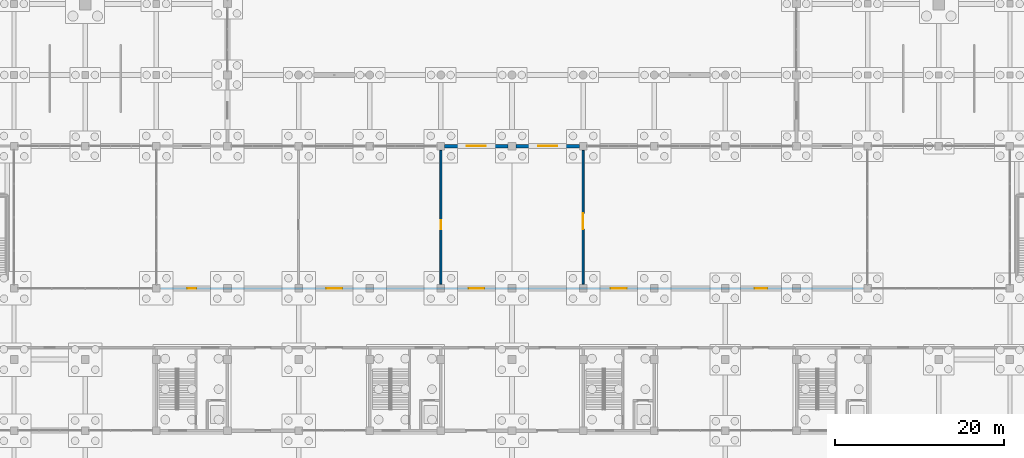
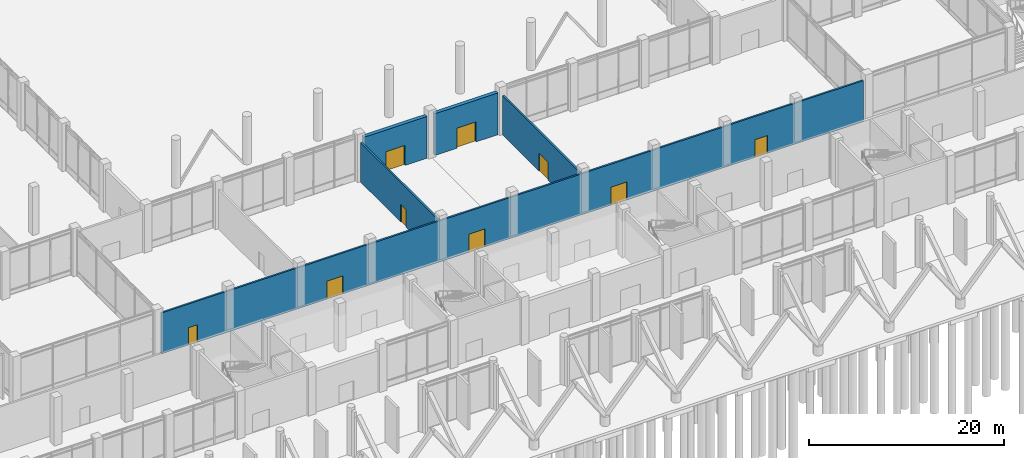
# One storey, part 54 of 72: 9 doors, 5 walls, 9 openings.
"""IFC4 building model written with IfcOpenShell, lengths in metres."""

from ifc_helpers import new_model, si_unit, direction, frame, frame_2d, origin, place, context, subcontext, project, spatial, rectangle, extrude, material, layer, layer_set, type_object, element, fill, save


model = new_model("IFC4")

# Units and contexts
model_context = context("Model", 3, precision=1e-05, world=origin(), true_north=direction((0.0, 1.0)))
body_context = subcontext(model_context, "Body", "Model", "MODEL_VIEW")
ifc_project = project(units=[si_unit("LENGTHUNIT", "METRE"), si_unit("AREAUNIT", "SQUARE_METRE"), si_unit("VOLUMEUNIT", "CUBIC_METRE"), si_unit("PLANEANGLEUNIT", "RADIAN"), si_unit("MASSUNIT", "GRAM", prefix="KILO")], contexts=[model_context])

# Site, building, storey
site_placement = place(None, origin())
site = spatial("IfcSite", under=ifc_project, at=site_placement, CompositionType="ELEMENT")
building_placement = place(site_placement, origin())
building = spatial("IfcBuilding", under=site, at=building_placement, Name="Qawsi Khor Wholesale Market", CompositionType="ELEMENT")
storey_placement = place(building_placement, origin())
storey = spatial("IfcBuildingStorey", under=building, at=storey_placement, Name="L00", CompositionType="ELEMENT", Elevation=0.0)

# Wall, openings, doors
ifc_material_1 = material(Name="Gypsum Fireboard on Steel Stud", Category="steel")
ifc_layer_1 = layer(ifc_material_1, 0.2099609375, Name="Gypsum Fireboard on Steel Stud")
ifc_layer_set_1 = layer_set([ifc_layer_1], Name="Gypsum Fireboard on Steel Stud")
wall_type_1 = type_object("IfcWallType", Name="Corridor Fire Partition Wall 210", PredefinedType="PARTITIONING", material=ifc_layer_set_1)
wall_1_placement = place(storey_placement, frame((67.699951171875, 25.199951171875, 0.0), z_axis=(0.0, 0.0, 1.0), x_axis=(1.0, 0.0, 0.0)))
wall_1 = element("IfcWall", 1, at=wall_1_placement, inside=storey, type_object=wall_type_1, Name="PW-L00-035", PredefinedType="PARTITIONING", context=body_context, shape_type="SweptSolid", body=[
    extrude(rectangle(XDim=83.0, YDim=0.2099609375, at=frame_2d((41.5, 0.0))), origin(), (0.0, 0.0, 1.0), 5.1298828125),
])
opening_1_placement = place(wall_1_placement, frame((3.169921875, 0.0, 0.0)))
opening_1 = element("IfcOpeningElement", 2, at=opening_1_placement, cuts=wall_1, Name="Opening ID-07", PredefinedType="OPENING", context=body_context, shape_type="SweptSolid", body=[
    extrude(rectangle(XDim=1.06005859375, YDim=2.179931640625, at=frame_2d((0.530029296875, 1.08984375))), frame((0.0, 0.114990234375, 0.0), z_axis=(0.0, -1.0, 0.0), x_axis=(1.0, 0.0, 0.0)), (0.0, 0.0, 1.0), 0.22998046875),
])
opening_2_placement = place(wall_1_placement, frame((19.574951171875, 0.0, 0.0)))
opening_2 = element("IfcOpeningElement", 3, at=opening_2_placement, cuts=wall_1, Name="Opening ID-09", PredefinedType="OPENING", context=body_context, shape_type="SweptSolid", body=[
    extrude(rectangle(XDim=1.85009765625, YDim=2.25, at=frame_2d((0.925048828125, 1.125))), frame((0.0, 0.114990234375, 0.0), z_axis=(0.0, -1.0, 0.0), x_axis=(1.0, 0.0, 0.0)), (0.0, 0.0, 1.0), 0.22998046875),
])
opening_3_placement = place(wall_1_placement, frame((36.375, 0.0, 0.0)))
opening_3 = element("IfcOpeningElement", 4, at=opening_3_placement, cuts=wall_1, Name="Opening ID-09", PredefinedType="OPENING", context=body_context, shape_type="SweptSolid", body=[
    extrude(rectangle(XDim=1.85009765625, YDim=2.25, at=frame_2d((0.925048828125, 1.125))), frame((0.0, 0.114990234375, 0.0), z_axis=(0.0, -1.0, 0.0), x_axis=(1.0, 0.0, 0.0)), (0.0, 0.0, 1.0), 0.22998046875),
])
opening_4_placement = place(wall_1_placement, frame((53.175048828125, 0.0, 0.0)))
opening_4 = element("IfcOpeningElement", 5, at=opening_4_placement, cuts=wall_1, Name="Opening ID-09", PredefinedType="OPENING", context=body_context, shape_type="SweptSolid", body=[
    extrude(rectangle(XDim=1.85009765625, YDim=2.25, at=frame_2d((0.925048828125, 1.125))), frame((0.0, 0.114990234375, 0.0), z_axis=(0.0, -1.0, 0.0), x_axis=(1.0, 0.0, 0.0)), (0.0, 0.0, 1.0), 0.22998046875),
])
opening_5_placement = place(wall_1_placement, frame((70.169921875, 0.0, 0.0)))
opening_5 = element("IfcOpeningElement", 6, at=opening_5_placement, cuts=wall_1, Name="Opening ID-10", PredefinedType="OPENING", context=body_context, shape_type="SweptSolid", body=[
    extrude(rectangle(XDim=1.4599609375, YDim=2.219970703125, at=frame_2d((0.72998046875, 1.10986328125))), frame((0.0, 0.114990234375, 0.0), z_axis=(0.0, -1.0, 0.0), x_axis=(1.0, 0.0, 0.0)), (0.0, 0.0, 1.0), 0.22998046875),
])
ifc_material_2 = material(Name="Glazed Hardwood", Category="wood")
door_type_1 = type_object("IfcDoorType", Name="Canteen Dining Double Door 1850x2250 FD60S", OperationType="NOTDEFINED", PredefinedType="DOOR", material=ifc_material_2)
door_1_placement = place(opening_2_placement, origin())
door_1 = element("IfcDoor", 7, at=door_1_placement, inside=storey, type_object=door_type_1, Name="Canteen Dining Double Door 1850x2250 FD60S L00-038", OperationType="DOUBLE_DOOR_SINGLE_SWING", OverallHeight=2.25, OverallWidth=1.85009765625, PredefinedType="DOOR", context=body_context, shape_type="SweptSolid", body=[
    extrude(rectangle(XDim=1.85009765625, YDim=2.25, at=frame_2d((0.925048828125, 1.125))), frame((0.0, 0.02490234375, 0.0), z_axis=(0.0, -1.0, 0.0), x_axis=(1.0, 0.0, 0.0)), (0.0, 0.0, 1.0), 0.050048828125),
])
fill(opening_2, door_1)
door_2_placement = place(opening_3_placement, origin())
door_2 = element("IfcDoor", 8, at=door_2_placement, inside=storey, type_object=door_type_1, Name="Canteen Dining Double Door 1850x2250 FD60S L00-039", OperationType="DOUBLE_DOOR_SINGLE_SWING", OverallHeight=2.25, OverallWidth=1.85009765625, PredefinedType="DOOR", context=body_context, shape_type="SweptSolid", body=[
    extrude(rectangle(XDim=1.85009765625, YDim=2.25, at=frame_2d((0.925048828125, 1.125))), frame((0.0, 0.02490234375, 0.0), z_axis=(0.0, -1.0, 0.0), x_axis=(1.0, 0.0, 0.0)), (0.0, 0.0, 1.0), 0.050048828125),
])
fill(opening_3, door_2)
door_3_placement = place(opening_4_placement, origin())
door_3 = element("IfcDoor", 9, at=door_3_placement, inside=storey, type_object=door_type_1, Name="Canteen Dining Double Door 1850x2250 FD60S L00-040", OperationType="DOUBLE_DOOR_SINGLE_SWING", OverallHeight=2.25, OverallWidth=1.85009765625, PredefinedType="DOOR", context=body_context, shape_type="SweptSolid", body=[
    extrude(rectangle(XDim=1.85009765625, YDim=2.25, at=frame_2d((0.925048828125, 1.125))), frame((0.0, 0.02490234375, 0.0), z_axis=(0.0, -1.0, 0.0), x_axis=(1.0, 0.0, 0.0)), (0.0, 0.0, 1.0), 0.050048828125),
])
fill(opening_4, door_3)
ifc_material_3 = material(Name="Hardwood Timber Veneer", Category="wood")
door_type_2 = type_object("IfcDoorType", Name="Clearinghouse Suite Door 1060x2180", OperationType="NOTDEFINED", PredefinedType="DOOR", material=ifc_material_3)
door_4_placement = place(opening_1_placement, origin())
door_4 = element("IfcDoor", 10, at=door_4_placement, inside=storey, type_object=door_type_2, Name="Clearinghouse Suite Door 1060x2180 L00-037", OperationType="SINGLE_SWING_LEFT", OverallHeight=2.179931640625, OverallWidth=1.06005859375, PredefinedType="DOOR", context=body_context, shape_type="SweptSolid", body=[
    extrude(rectangle(XDim=1.06005859375, YDim=2.179931640625, at=frame_2d((0.530029296875, 1.08984375))), frame((0.0, 0.02490234375, 0.0), z_axis=(0.0, -1.0, 0.0), x_axis=(1.0, 0.0, 0.0)), (0.0, 0.0, 1.0), 0.050048828125),
])
fill(opening_1, door_4)
ifc_material_4 = material(Name="Brushed Stainless Steel", Category="steel")
door_type_3 = type_object("IfcDoorType", Name="Commercial Kitchen Service Door 1460x2220 FD60S", OperationType="NOTDEFINED", PredefinedType="DOOR", material=ifc_material_4)
door_5_placement = place(opening_5_placement, origin())
door_5 = element("IfcDoor", 11, at=door_5_placement, inside=storey, type_object=door_type_3, Name="Commercial Kitchen Service Door 1460x2220 FD60S L00-041", OperationType="SINGLE_SWING_RIGHT", OverallHeight=2.219970703125, OverallWidth=1.4599609375, PredefinedType="DOOR", context=body_context, shape_type="SweptSolid", body=[
    extrude(rectangle(XDim=1.4599609375, YDim=2.219970703125, at=frame_2d((0.72998046875, 1.10986328125))), frame((0.0, 0.02490234375, 0.0), z_axis=(0.0, -1.0, 0.0), x_axis=(1.0, 0.0, 0.0)), (0.0, 0.0, 1.0), 0.050048828125),
])
fill(opening_5, door_5)

# Wall, opening, door
wall_2_placement = place(storey_placement, frame((100.800048828125, 25.699951171875, 0.0), z_axis=(0.0, 0.0, 1.0), x_axis=(0.0, 1.0, 0.0)))
wall_2 = element("IfcWall", 12, at=wall_2_placement, inside=storey, type_object=wall_type_1, Name="PW-L00-040", PredefinedType="PARTITIONING", context=body_context, shape_type="SweptSolid", body=[
    extrude(rectangle(XDim=15.800048828125, YDim=0.2099609375, at=frame_2d((7.89990234375, 0.0))), origin(), (0.0, 0.0, 1.0), 4.929931640625),
])
opening_6_placement = place(wall_2_placement, frame((6.5, 0.0, 0.0)))
opening_6 = element("IfcOpeningElement", 13, at=opening_6_placement, cuts=wall_2, Name="Opening ID-07", PredefinedType="OPENING", context=body_context, shape_type="SweptSolid", body=[
    extrude(rectangle(XDim=1.06005859375, YDim=2.179931640625, at=frame_2d((0.530029296875, 1.08984375))), frame((0.0, 0.114990234375, 0.0), z_axis=(0.0, -1.0, 0.0), x_axis=(1.0, 0.0, 0.0)), (0.0, 0.0, 1.0), 0.22998046875),
])
door_6_placement = place(opening_6_placement, origin())
door_6 = element("IfcDoor", 14, at=door_6_placement, inside=storey, type_object=door_type_2, Name="Clearinghouse Suite Door 1060x2180 L00-046", OperationType="SINGLE_SWING_RIGHT", OverallHeight=2.179931640625, OverallWidth=1.06005859375, PredefinedType="DOOR", context=body_context, shape_type="SweptSolid", body=[
    extrude(rectangle(XDim=1.06005859375, YDim=2.179931640625, at=frame_2d((0.530029296875, 1.08984375))), frame((0.0, 0.02490234375, 0.0), z_axis=(0.0, -1.0, 0.0), x_axis=(1.0, 0.0, 0.0)), (0.0, 0.0, 1.0), 0.050048828125),
])
fill(opening_6, door_6)

wall_3_placement = place(storey_placement, frame((117.60009765625, 25.699951171875, 0.0), z_axis=(0.0, 0.0, 1.0), x_axis=(0.0, 1.0, 0.0)))
wall_3 = element("IfcWall", 15, at=wall_3_placement, inside=storey, type_object=wall_type_1, Name="PW-L00-041", PredefinedType="PARTITIONING", context=body_context, shape_type="SweptSolid", body=[
    extrude(rectangle(XDim=15.800048828125, YDim=0.2099609375, at=frame_2d((7.89990234375, 0.0))), origin(), (0.0, 0.0, 1.0), 4.929931640625),
])
opening_7_placement = place(wall_3_placement, frame((6.5, 0.0, 0.0)))
opening_7 = element("IfcOpeningElement", 16, at=opening_7_placement, cuts=wall_3, Name="Opening ID-09", PredefinedType="OPENING", context=body_context, shape_type="SweptSolid", body=[
    extrude(rectangle(XDim=1.85009765625, YDim=2.25, at=frame_2d((0.925048828125, 1.125))), frame((0.0, 0.114990234375, 0.0), z_axis=(0.0, -1.0, 0.0), x_axis=(1.0, 0.0, 0.0)), (0.0, 0.0, 1.0), 0.22998046875),
])
door_7_placement = place(opening_7_placement, origin())
door_7 = element("IfcDoor", 17, at=door_7_placement, inside=storey, type_object=door_type_1, Name="Canteen Dining Double Door 1850x2250 FD60S L00-047", OperationType="DOUBLE_DOOR_SINGLE_SWING", OverallHeight=2.25, OverallWidth=1.85009765625, PredefinedType="DOOR", context=body_context, shape_type="SweptSolid", body=[
    extrude(rectangle(XDim=1.85009765625, YDim=2.25, at=frame_2d((0.925048828125, 1.125))), frame((0.0, 0.02490234375, 0.0), z_axis=(0.0, -1.0, 0.0), x_axis=(1.0, 0.0, 0.0)), (0.0, 0.0, 1.0), 0.050048828125),
])
fill(opening_7, door_7)

ifc_material_5 = material(Name="Concrete C40/50", Category="concrete")
ifc_layer_2 = layer(ifc_material_5, 0.429931640625, Name="Concrete C40/50")
ifc_layer_set_2 = layer_set([ifc_layer_2], Name="Concrete C40/50")
wall_type_2 = type_object("IfcWallType", Name="Sculpted Ribbed Concrete Facade Wall 430", PredefinedType="SOLIDWALL", material=ifc_layer_set_2)
wall_4_placement = place(storey_placement, frame((101.2548828125, 42.0, 0.0), z_axis=(0.0, 0.0, 1.0), x_axis=(1.0, 0.0, 0.0)))
wall_4 = element("IfcWall", 18, at=wall_4_placement, inside=storey, type_object=wall_type_2, Name="EW-L00-SWN-12", PredefinedType="SOLIDWALL", context=body_context, shape_type="SweptSolid", body=[
    extrude(rectangle(XDim=7.490234375, YDim=0.429931640625, at=frame_2d((3.7451171875, 0.0))), origin(), (0.0, 0.0, 1.0), 5.219970703125),
])
opening_8_placement = place(wall_4_placement, frame((2.6201171875, 0.0, 0.0)))
opening_8 = element("IfcOpeningElement", 19, at=opening_8_placement, cuts=wall_4, Name="Opening ED-02", PredefinedType="OPENING", context=body_context, shape_type="SweptSolid", body=[
    extrude(rectangle(XDim=2.25, YDim=2.5, at=frame_2d((1.125, 1.25))), frame((0.0, 0.224853515625, 0.0), z_axis=(0.0, -1.0, 0.0), x_axis=(1.0, 0.0, 0.0)), (0.0, 0.0, 1.0), 0.449951171875),
])
ifc_material_6 = material(Name="Powder-Coated Galvanised Steel & Glazing", Category="steel")
door_type_4 = type_object("IfcDoorType", Name="Court Passage Double Glazed Door 2250x2500", OperationType="NOTDEFINED", PredefinedType="DOOR", material=ifc_material_6)
door_8_placement = place(opening_8_placement, origin())
door_8 = element("IfcDoor", 20, at=door_8_placement, inside=storey, type_object=door_type_4, Name="Central Court Entrance Door 12", OperationType="DOUBLE_DOOR_SINGLE_SWING", OverallHeight=2.5, OverallWidth=2.25, PredefinedType="DOOR", context=body_context, shape_type="SweptSolid", body=[
    extrude(rectangle(XDim=2.25, YDim=2.5, at=frame_2d((1.125, 1.25))), frame((0.0, 0.02490234375, 0.0), z_axis=(0.0, -1.0, 0.0), x_axis=(1.0, 0.0, 0.0)), (0.0, 0.0, 1.0), 0.050048828125),
])
fill(opening_8, door_8)

wall_5_placement = place(storey_placement, frame((109.655029296875, 42.0, 0.0), z_axis=(0.0, 0.0, 1.0), x_axis=(1.0, 0.0, 0.0)))
wall_5 = element("IfcWall", 21, at=wall_5_placement, inside=storey, type_object=wall_type_2, Name="EW-L00-SWN-13", PredefinedType="SOLIDWALL", context=body_context, shape_type="SweptSolid", body=[
    extrude(rectangle(XDim=7.489990234375, YDim=0.429931640625, at=frame_2d((3.7451171875, 0.0))), origin(), (0.0, 0.0, 1.0), 5.219970703125),
])
opening_9_placement = place(wall_5_placement, frame((2.6201171875, 0.0, 0.0)))
opening_9 = element("IfcOpeningElement", 22, at=opening_9_placement, cuts=wall_5, Name="Opening ED-02", PredefinedType="OPENING", context=body_context, shape_type="SweptSolid", body=[
    extrude(rectangle(XDim=2.25, YDim=2.5, at=frame_2d((1.125, 1.25))), frame((0.0, 0.224853515625, 0.0), z_axis=(0.0, -1.0, 0.0), x_axis=(1.0, 0.0, 0.0)), (0.0, 0.0, 1.0), 0.449951171875),
])
door_9_placement = place(opening_9_placement, origin())
door_9 = element("IfcDoor", 23, at=door_9_placement, inside=storey, type_object=door_type_4, Name="Central Court Entrance Door 13", OperationType="DOUBLE_DOOR_SINGLE_SWING", OverallHeight=2.5, OverallWidth=2.25, PredefinedType="DOOR", context=body_context, shape_type="SweptSolid", body=[
    extrude(rectangle(XDim=2.25, YDim=2.5, at=frame_2d((1.125, 1.25))), frame((0.0, 0.02490234375, 0.0), z_axis=(0.0, -1.0, 0.0), x_axis=(1.0, 0.0, 0.0)), (0.0, 0.0, 1.0), 0.050048828125),
])
fill(opening_9, door_9)

save(model, "model.ifc")
